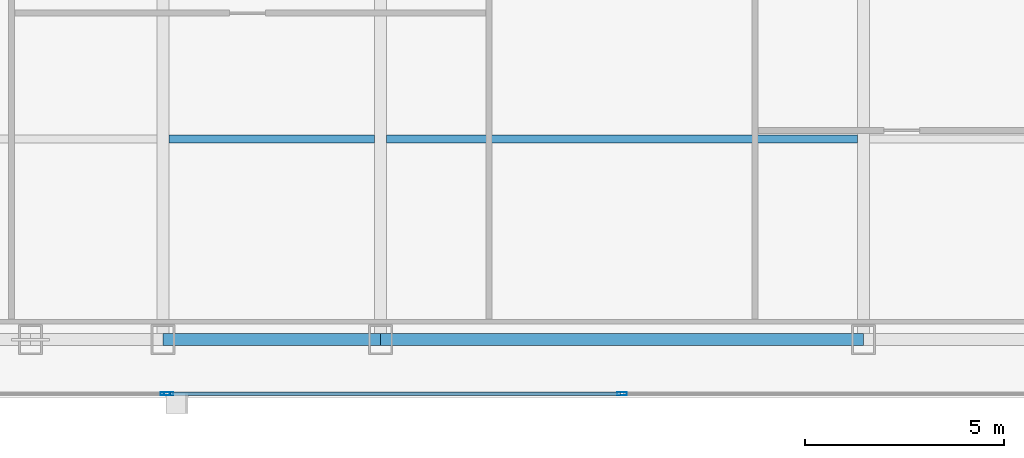
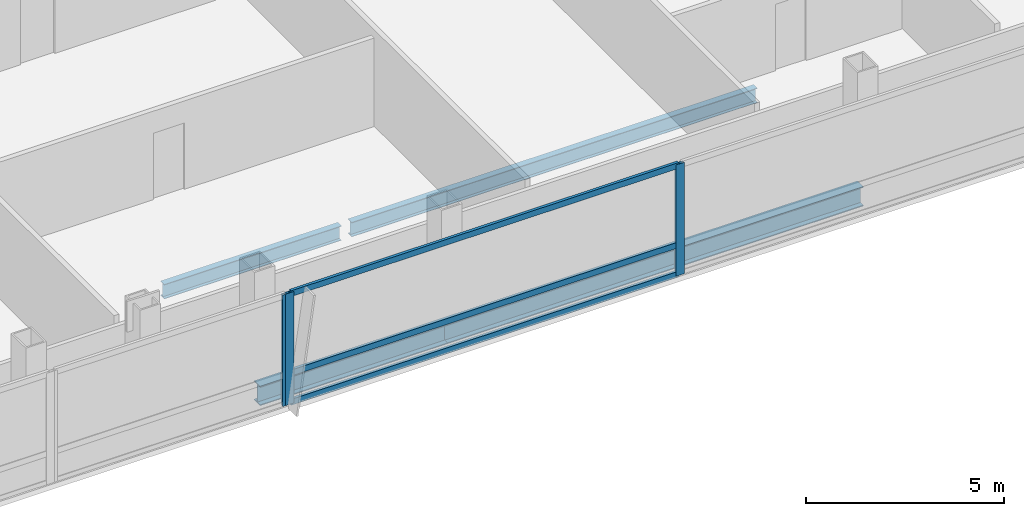
# One storey, part 8 of 32: 6 members, 4 beams, 2 elements without a shape of their own.
"""IFC4 building model written with IfcOpenShell, lengths in metres."""

from ifc_helpers import new_model, si_unit, direction, frame, origin, origin_2d, place, context, subcontext, project, spatial, hollow_rectangle, i_section, extrude, material, material_profile, profile_set, type_object, element, aggregate, save


model = new_model("IFC4")

# Units and contexts
model_context = context("Model", 3, precision=1e-05, world=origin(), true_north=direction((0.0, 1.0)))
body_context = subcontext(model_context, "Body", "Model", "MODEL_VIEW")
ifc_project = project(units=[si_unit("LENGTHUNIT", "METRE"), si_unit("AREAUNIT", "SQUARE_METRE"), si_unit("VOLUMEUNIT", "CUBIC_METRE"), si_unit("PLANEANGLEUNIT", "RADIAN"), si_unit("MASSUNIT", "GRAM", prefix="KILO")], contexts=[model_context])

# Site, building, storey
site_placement = place(None, origin())
site = spatial("IfcSite", under=ifc_project, at=site_placement, CompositionType="ELEMENT")
building_placement = place(site_placement, origin())
building = spatial("IfcBuilding", under=site, at=building_placement, Name="Khoronbel Lancet Exchange", CompositionType="ELEMENT")
storey_placement = place(building_placement, frame((0.0, 0.0, 195.800048828125)))
storey = spatial("IfcBuildingStorey", under=building, at=storey_placement, Name="L49", CompositionType="ELEMENT", Elevation=195.800048828125)

# Beams
ifc_material_1 = material(Name="Steel S355", Category="steel")
ifc_material_profile_1 = material_profile(ifc_material_1, i_section(OverallWidth=0.18994140625, OverallDepth=0.449951171875, WebThickness=0.009521484375, FlangeThickness=0.0146484375, at=origin_2d()), Name="IPE 450")
ifc_profile_set_1 = profile_set([ifc_material_profile_1], Name="Steel S355")
beam_type_1 = type_object("IfcBeamType", Name="BM-BJ4", PredefinedType="JOIST", material=ifc_profile_set_1)
beam_1_placement = place(storey_placement, frame((25.050048828125, 15.199951171875, -0.385009765625), z_axis=(1.0, 0.0, 0.0), x_axis=(0.0, 1.0, 0.0)))
element("IfcBeam", 1, at=beam_1_placement, inside=storey, type_object=beam_type_1, Name="Level L49 secondary composite joist J02", PredefinedType="JOIST", context=body_context, shape_type="SweptSolid", body=[
    extrude(i_section(OverallWidth=0.18994140625, OverallDepth=0.449951171875, WebThickness=0.009521484375, FlangeThickness=0.0146484375, at=origin_2d()), origin(), (0.0, 0.0, 1.0), 5.175048828125),
])
beam_2_placement = place(storey_placement, frame((30.52490234375, 15.199951171875, -0.385009765625), z_axis=(1.0, 0.0, 0.0), x_axis=(0.0, 1.0, 0.0)))
element("IfcBeam", 2, at=beam_2_placement, inside=storey, type_object=beam_type_1, Name="Level L49 secondary composite joist J03", PredefinedType="JOIST", context=body_context, shape_type="SweptSolid", body=[
    extrude(i_section(OverallWidth=0.18994140625, OverallDepth=0.449951171875, WebThickness=0.009521484375, FlangeThickness=0.0146484375, at=origin_2d()), origin(), (0.0, 0.0, 1.0), 11.85009765625),
])
ifc_material_profile_2 = material_profile(ifc_material_1, i_section(OverallWidth=0.300048828125, OverallDepth=0.60009765625, WebThickness=0.015380859375, FlangeThickness=0.030029296875, at=origin_2d()), Name="HEB 600")
ifc_profile_set_2 = profile_set([ifc_material_profile_2], Name="Steel S355")
beam_type_2 = type_object("IfcBeamType", Name="BM-BSP2", PredefinedType="SPANDREL", material=ifc_profile_set_2)
beam_3_placement = place(storey_placement, frame((24.89990234375, 10.14990234375, -0.4599609375), z_axis=(1.0, 0.0, 0.0), x_axis=(0.0, 1.0, 0.0)))
element("IfcBeam", 3, at=beam_3_placement, inside=storey, type_object=beam_type_2, Name="Level L49 perimeter spandrel beam SP04", PredefinedType="SPANDREL", context=body_context, shape_type="SweptSolid", body=[
    extrude(i_section(OverallWidth=0.300048828125, OverallDepth=0.60009765625, WebThickness=0.015380859375, FlangeThickness=0.030029296875, at=origin_2d()), origin(), (0.0, 0.0, 1.0), 5.47509765625),
])
beam_4_placement = place(storey_placement, frame((30.375, 10.14990234375, -0.4599609375), z_axis=(1.0, 0.0, 0.0), x_axis=(0.0, 1.0, 0.0)))
element("IfcBeam", 4, at=beam_4_placement, inside=storey, type_object=beam_type_2, Name="Level L49 perimeter spandrel beam SP05", PredefinedType="SPANDREL", context=body_context, shape_type="SweptSolid", body=[
    extrude(i_section(OverallWidth=0.300048828125, OverallDepth=0.60009765625, WebThickness=0.015380859375, FlangeThickness=0.030029296875, at=origin_2d()), origin(), (0.0, 0.0, 1.0), 12.14990234375),
])

# Curtain wall, member
ifc_material_2 = material(Name="Low-E Solar Control Insulating Glass", Category="glass")
curtain_wall_type = type_object("IfcCurtainWallType", Name="CW-3", PredefinedType="NOTDEFINED", material=ifc_material_2)
curtain_wall_1_placement = place(storey_placement, origin())
curtain_wall_1 = element("IfcCurtainWall", 5, at=curtain_wall_1_placement, inside=storey, type_object=curtain_wall_type, Name="Unitised curtain wall CW-L49-SWB", PredefinedType="NOTDEFINED")
ifc_material_3 = material(Name="Bronze-Anodised Aluminium 6063-T6", Category="aluminium")
ifc_material_profile_3 = material_profile(ifc_material_3, hollow_rectangle(XDim=0.0849609375, YDim=0.239990234375, WallThickness=0.006103515625, at=origin_2d()), Name="ALU MULLION 85x240")
ifc_profile_set_3 = profile_set([ifc_material_profile_3], Name="Bronze-Anodised Aluminium 6063-T6")
member_type_1 = type_object("IfcMemberType", Name="MEM-CWM1", PredefinedType="MULLION", material=ifc_profile_set_3)
member_1_placement = place(storey_placement, frame((24.95751953125, 8.7900390625, 0.0), z_axis=(0.0, 0.0, 1.0), x_axis=(0.0, 1.0, 0.0)))
member_1 = element("IfcMember", 6, at=member_1_placement, type_object=member_type_1, Name="CW3 mullion 2", PredefinedType="MULLION", context=body_context, shape_type="SweptSolid", body=[
    extrude(hollow_rectangle(XDim=0.0849609375, YDim=0.239990234375, WallThickness=0.006103515625, at=origin_2d()), origin(), (0.0, 0.0, 1.0), 3.43994140625),
])
aggregate(curtain_wall_1, [member_1])

# Curtain wall, members
curtain_wall_2_placement = place(storey_placement, origin())
curtain_wall_2 = element("IfcCurtainWall", 7, at=curtain_wall_2_placement, inside=storey, type_object=curtain_wall_type, Name="Unitised curtain wall CW-L49-SCV", PredefinedType="NOTDEFINED")
member_2_placement = place(storey_placement, frame((25.04248046875, 8.7900390625, 0.0), z_axis=(0.0, 0.0, 1.0), x_axis=(0.0, 1.0, 0.0)))
member_2 = element("IfcMember", 8, at=member_2_placement, type_object=member_type_1, Name="CW3 mullion 1", PredefinedType="MULLION", context=body_context, shape_type="SweptSolid", body=[
    extrude(hollow_rectangle(XDim=0.0849609375, YDim=0.239990234375, WallThickness=0.006103515625, at=origin_2d()), origin(), (0.0, 0.0, 1.0), 3.43994140625),
])
member_3_placement = place(storey_placement, frame((36.449951171875, 8.7900390625, 0.0), z_axis=(0.0, 0.0, 1.0), x_axis=(0.0, 1.0, 0.0)))
member_3 = element("IfcMember", 9, at=member_3_placement, type_object=member_type_1, Name="CW3 mullion 2", PredefinedType="MULLION", context=body_context, shape_type="SweptSolid", body=[
    extrude(hollow_rectangle(XDim=0.0849609375, YDim=0.239990234375, WallThickness=0.006103515625, at=origin_2d()), origin(), (0.0, 0.0, 1.0), 3.43994140625),
])
ifc_material_profile_4 = material_profile(ifc_material_3, hollow_rectangle(XDim=0.0849609375, YDim=0.179931640625, WallThickness=0.0048828125, at=origin_2d()), Name="ALU TRANSOM 85x180")
ifc_profile_set_4 = profile_set([ifc_material_profile_4], Name="Bronze-Anodised Aluminium 6063-T6")
member_type_2 = type_object("IfcMemberType", Name="MEM-CWT1", PredefinedType="USERDEFINED", material=ifc_profile_set_4)
member_4_placement = place(storey_placement, frame((25.0849609375, 8.7900390625, 0.04248046875), z_axis=(1.0, 0.0, 0.0), x_axis=(0.0, 1.0, 0.0)))
member_4 = element("IfcMember", 10, at=member_4_placement, type_object=member_type_2, Name="CW3 transom 1.1", ObjectType="TRANSOM", PredefinedType="USERDEFINED", context=body_context, shape_type="SweptSolid", body=[
    extrude(hollow_rectangle(XDim=0.0849609375, YDim=0.179931640625, WallThickness=0.0048828125, at=origin_2d()), origin(), (0.0, 0.0, 1.0), 11.322509765625),
])
member_5_placement = place(storey_placement, frame((25.0849609375, 8.7900390625, 0.949951171875), z_axis=(1.0, 0.0, 0.0), x_axis=(0.0, 1.0, 0.0)))
member_5 = element("IfcMember", 11, at=member_5_placement, type_object=member_type_2, Name="CW3 transom 1.2", ObjectType="TRANSOM", PredefinedType="USERDEFINED", context=body_context, shape_type="SweptSolid", body=[
    extrude(hollow_rectangle(XDim=0.0849609375, YDim=0.179931640625, WallThickness=0.0048828125, at=origin_2d()), origin(), (0.0, 0.0, 1.0), 11.322509765625),
])
member_6_placement = place(storey_placement, frame((25.0849609375, 8.7900390625, 3.3974609375), z_axis=(1.0, 0.0, 0.0), x_axis=(0.0, 1.0, 0.0)))
member_6 = element("IfcMember", 12, at=member_6_placement, type_object=member_type_2, Name="CW3 transom 1.3", ObjectType="TRANSOM", PredefinedType="USERDEFINED", context=body_context, shape_type="SweptSolid", body=[
    extrude(hollow_rectangle(XDim=0.0849609375, YDim=0.179931640625, WallThickness=0.0048828125, at=origin_2d()), origin(), (0.0, 0.0, 1.0), 11.322509765625),
])
aggregate(curtain_wall_2, [member_2, member_3, member_4, member_5, member_6])

save(model, "model.ifc")
